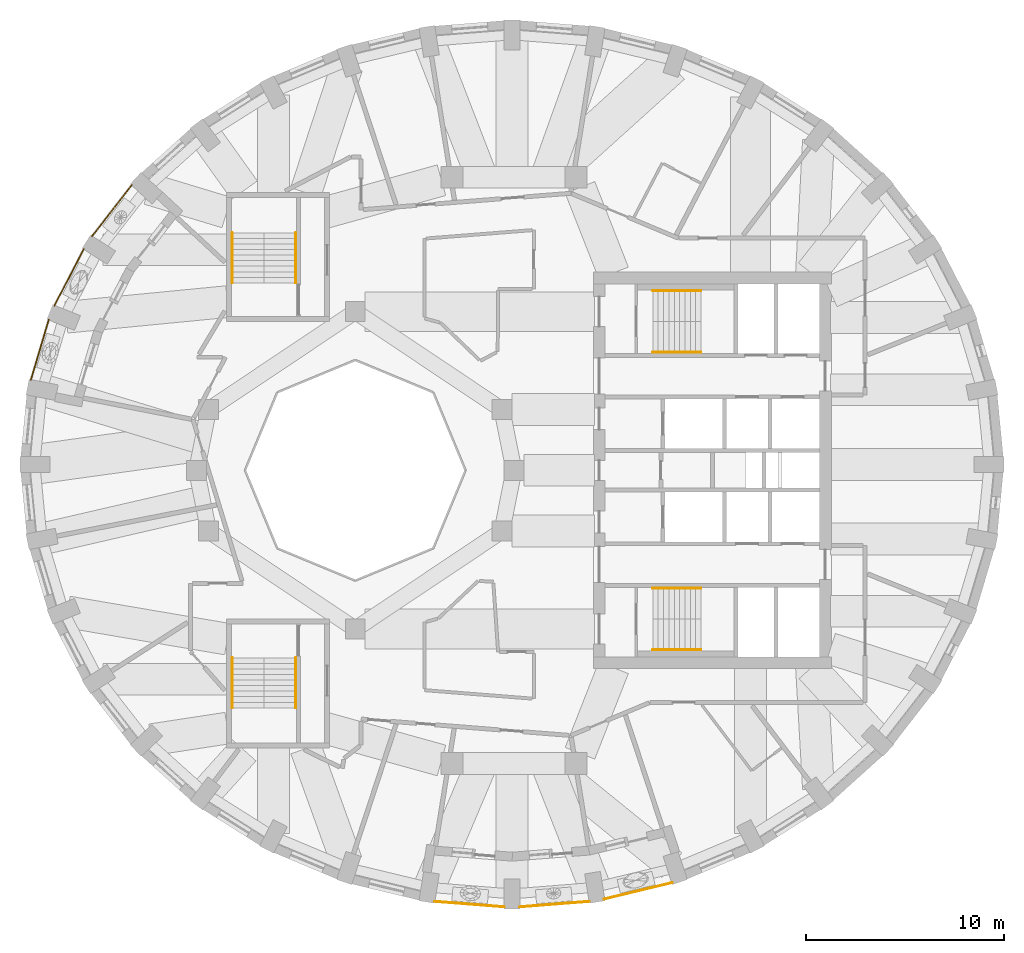
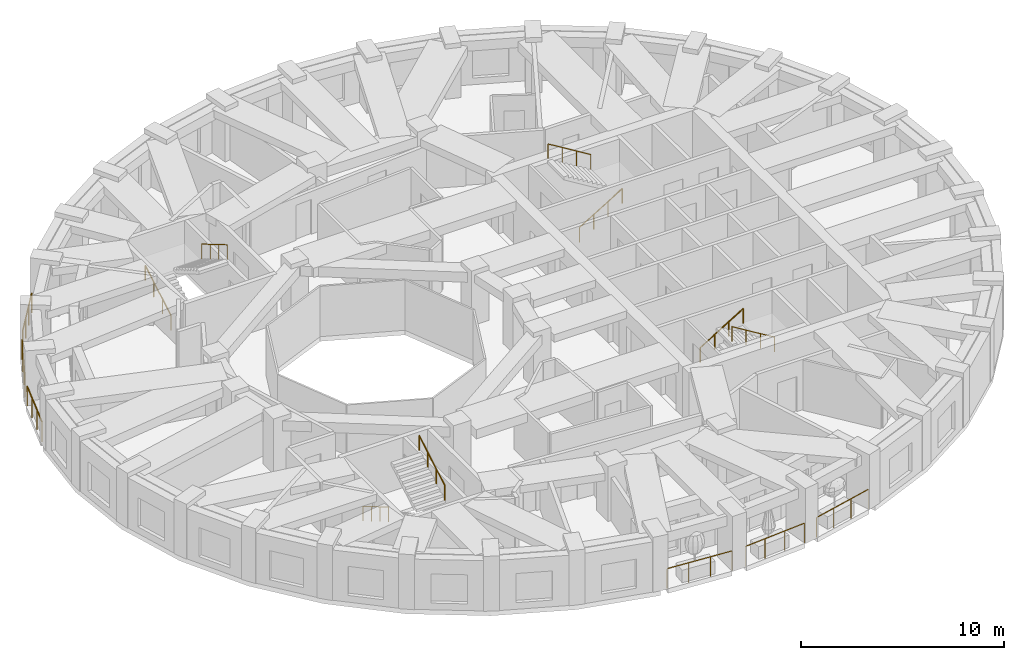
# One storey, part 10 of 12: 14 railings.
"""IFC4 building model written with IfcOpenShell, lengths in metres."""

from ifc_helpers import new_model, si_unit, direction, frame, origin, origin_2d, place, context, subcontext, project, spatial, circle, extrude, material, type_object, element, save


model = new_model("IFC4")

# Units and contexts
model_context = context("Model", 3, precision=1e-05, world=origin(), true_north=direction((0.0, 1.0)))
body_context = subcontext(model_context, "Body", "Model", "MODEL_VIEW")
ifc_project = project(units=[si_unit("LENGTHUNIT", "METRE"), si_unit("AREAUNIT", "SQUARE_METRE"), si_unit("VOLUMEUNIT", "CUBIC_METRE"), si_unit("PLANEANGLEUNIT", "RADIAN"), si_unit("MASSUNIT", "GRAM", prefix="KILO")], contexts=[model_context])

# Site, building, storey
site_placement = place(None, origin())
site = spatial("IfcSite", under=ifc_project, at=site_placement, CompositionType="ELEMENT")
building_placement = place(site_placement, origin())
building = spatial("IfcBuilding", under=site, at=building_placement, Name="Taillehof Tower", CompositionType="ELEMENT")
storey_placement = place(building_placement, frame((0.0, 0.0, 243.199951171875)))
storey = spatial("IfcBuildingStorey", under=building, at=storey_placement, Name="L69", CompositionType="ELEMENT", Elevation=243.199951171875)

# Railings
ifc_material_1 = material(Name="Stainless steel balustrade", Category="steel")
railing_type_1 = type_object("IfcRailingType", Name="Balcony guard 1200", PredefinedType="GUARDRAIL", material=ifc_material_1)
railing_1_placement = place(storey_placement, frame((-4.004638671875, -21.732177734375, 0.0)))
element("IfcRailing", 1, at=railing_1_placement, inside=storey, type_object=railing_type_1, Name="Balcony guard L69 bay 27", PredefinedType="GUARDRAIL", context=body_context, shape_type="SweptSolid", body=[
    extrude(circle(Radius=0.02392578125, at=origin_2d()), frame((0.0, 0.0, 1.17578125), z_axis=(0.99691310074, -0.078512862474, 0.0), x_axis=(0.078512862474, 0.99691310074, 0.0)), (0.0, 0.0, 1.0), 3.53564453125),
    extrude(circle(Radius=0.02099609375, at=origin_2d()), origin(), (0.0, 0.0, 1.0), 1.15185546875),
    extrude(circle(Radius=0.02099609375, at=origin_2d()), frame((1.1748046875, -0.092529296875, 0.0)), (0.0, 0.0, 1.0), 1.15185546875),
    extrude(circle(Radius=0.02099609375, at=origin_2d()), frame((2.349853515625, -0.18505859375, 0.0)), (0.0, 0.0, 1.0), 1.15185546875),
    extrude(circle(Radius=0.02099609375, at=origin_2d()), frame((3.524658203125, -0.277587890625, 0.0)), (0.0, 0.0, 1.0), 1.15185546875),
])
railing_2_placement = place(storey_placement, frame((0.280029296875, -22.009765625, 0.0)))
element("IfcRailing", 2, at=railing_2_placement, inside=storey, type_object=railing_type_1, Name="Balcony guard L69 bay 28", PredefinedType="GUARDRAIL", context=body_context, shape_type="SweptSolid", body=[
    extrude(circle(Radius=0.02392578125, at=origin_2d()), frame((0.0, 0.0, 1.17578125), z_axis=(0.99691310074, 0.078512862474, 0.0), x_axis=(-0.078512862474, 0.99691310074, 0.0)), (0.0, 0.0, 1.0), 3.53564453125),
    extrude(circle(Radius=0.02099609375, at=origin_2d()), origin(), (0.0, 0.0, 1.0), 1.15185546875),
    extrude(circle(Radius=0.02099609375, at=origin_2d()), frame((1.1748046875, 0.092529296875, 0.0)), (0.0, 0.0, 1.0), 1.15185546875),
    extrude(circle(Radius=0.02099609375, at=origin_2d()), frame((2.349853515625, 0.18505859375, 0.0)), (0.0, 0.0, 1.0), 1.15185546875),
    extrude(circle(Radius=0.02099609375, at=origin_2d()), frame((3.524658203125, 0.277587890625, 0.0)), (0.0, 0.0, 1.0), 1.15185546875),
])
railing_3_placement = place(storey_placement, frame((4.555419921875, -21.61279296875, 0.0)))
element("IfcRailing", 3, at=railing_3_placement, inside=storey, type_object=railing_type_1, Name="Balcony guard L69 bay 29", PredefinedType="GUARDRAIL", context=body_context, shape_type="SweptSolid", body=[
    extrude(circle(Radius=0.02392578125, at=origin_2d()), frame((0.0, 0.0, 1.17578125), z_axis=(0.972116636457, 0.234497857397, 0.0), x_axis=(-0.234497857397, 0.972116636457, 0.0)), (0.0, 0.0, 1.0), 3.5126953125),
    extrude(circle(Radius=0.02099609375, at=origin_2d()), origin(), (0.0, 0.0, 1.0), 1.15185546875),
    extrude(circle(Radius=0.02099609375, at=origin_2d()), frame((1.13818359375, 0.274658203125, 0.0)), (0.0, 0.0, 1.0), 1.15185546875),
    extrude(circle(Radius=0.02099609375, at=origin_2d()), frame((2.276611328125, 0.549072265625, 0.0)), (0.0, 0.0, 1.0), 1.15185546875),
    extrude(circle(Radius=0.02099609375, at=origin_2d()), frame((3.414794921875, 0.82373046875, 0.0)), (0.0, 0.0, 1.0), 1.15185546875),
])
railing_4_placement = place(storey_placement, frame((-19.262939453125, 14.384521484375, 0.0)))
element("IfcRailing", 4, at=railing_4_placement, inside=storey, type_object=railing_type_1, Name="Balcony guard L69 bay 15", PredefinedType="GUARDRAIL", context=body_context, shape_type="SweptSolid", body=[
    extrude(circle(Radius=0.02392578125, at=origin_2d()), frame((0.0, 0.0, 1.17578125), z_axis=(-0.613914823263, -0.789372275785, 0.0), x_axis=(0.789372275785, -0.613914823263, 0.0)), (0.0, 0.0, 1.0), 3.27685546875),
    extrude(circle(Radius=0.02099609375, at=origin_2d()), origin(), (0.0, 0.0, 1.0), 1.15185546875),
    extrude(circle(Radius=0.02099609375, at=origin_2d()), frame((-0.670654296875, -0.8623046875, 0.0)), (0.0, 0.0, 1.0), 1.15185546875),
    extrude(circle(Radius=0.02099609375, at=origin_2d()), frame((-1.341064453125, -1.724365234375, 0.0)), (0.0, 0.0, 1.0), 1.15185546875),
    extrude(circle(Radius=0.02099609375, at=origin_2d()), frame((-2.01171875, -2.586669921875, 0.0)), (0.0, 0.0, 1.0), 1.15185546875),
])
railing_5_placement = place(storey_placement, frame((-21.6845703125, 11.157470703125, 0.0)))
element("IfcRailing", 5, at=railing_5_placement, inside=storey, type_object=railing_type_1, Name="Balcony guard L69 bay 16", PredefinedType="GUARDRAIL", context=body_context, shape_type="SweptSolid", body=[
    extrude(circle(Radius=0.02392578125, at=origin_2d()), frame((0.0, 0.0, 1.17578125), z_axis=(-0.4599205147, -0.887960089282, 0.0), x_axis=(0.887960089282, -0.4599205147, 0.0)), (0.0, 0.0, 1.0), 3.21630859375),
    extrude(circle(Radius=0.02099609375, at=origin_2d()), origin(), (0.0, 0.0, 1.0), 1.15185546875),
    extrude(circle(Radius=0.02099609375, at=origin_2d()), frame((-0.4931640625, -0.951904296875, 0.0)), (0.0, 0.0, 1.0), 1.15185546875),
    extrude(circle(Radius=0.02099609375, at=origin_2d()), frame((-0.986083984375, -1.904052734375, 0.0)), (0.0, 0.0, 1.0), 1.15185546875),
    extrude(circle(Radius=0.02099609375, at=origin_2d()), frame((-1.479248046875, -2.85595703125, 0.0)), (0.0, 0.0, 1.0), 1.15185546875),
])
railing_6_placement = place(storey_placement, frame((-23.4482421875, 7.5966796875, 0.0)))
element("IfcRailing", 6, at=railing_6_placement, inside=storey, type_object=railing_type_1, Name="Balcony guard L69 bay 17", PredefinedType="GUARDRAIL", context=body_context, shape_type="SweptSolid", body=[
    extrude(circle(Radius=0.02392578125, at=origin_2d()), frame((0.0, 0.0, 1.17578125), z_axis=(-0.285199702908, -0.958468116038, 0.0), x_axis=(0.958468116038, -0.285199702908, 0.0)), (0.0, 0.0, 1.0), 3.170654296875),
    extrude(circle(Radius=0.02099609375, at=origin_2d()), origin(), (0.0, 0.0, 1.0), 1.15185546875),
    extrude(circle(Radius=0.02099609375, at=origin_2d()), frame((-0.301513671875, -1.012939453125, 0.0)), (0.0, 0.0, 1.0), 1.15185546875),
    extrude(circle(Radius=0.02099609375, at=origin_2d()), frame((-0.602783203125, -2.026123046875, 0.0)), (0.0, 0.0, 1.0), 1.15185546875),
    extrude(circle(Radius=0.02099609375, at=origin_2d()), frame((-0.904296875, -3.0390625, 0.0)), (0.0, 0.0, 1.0), 1.15185546875),
])
ifc_material_2 = material(Name="Stainless steel", Category="steel")
railing_type_2 = type_object("IfcRailingType", Name="Stair handrail 900", PredefinedType="HANDRAIL", material=ifc_material_2)
railing_7_placement = place(storey_placement, frame((7.0, 5.949951171875, 0.1650390625)))
element("IfcRailing", 7, at=railing_7_placement, inside=storey, type_object=railing_type_2, Name="Stair S1 handrail", PredefinedType="HANDRAIL", context=body_context, shape_type="SweptSolid", body=[
    extrude(circle(Radius=0.02392578125, at=origin_2d()), frame((0.0, 0.0, 0.8759765625), z_axis=(0.853258522278, 0.0, 0.521488153423), x_axis=(0.0, 1.0, 0.0)), (0.0, 0.0, 1.0), 2.847900390625),
    extrude(circle(Radius=0.02099609375, at=origin_2d()), origin(), (0.0, 0.0, 1.0), 0.851806640625),
    extrude(circle(Radius=0.02099609375, at=origin_2d()), frame((0.81005859375, 0.0, 0.4951171875)), (0.0, 0.0, 1.0), 0.851806640625),
    extrude(circle(Radius=0.02099609375, at=origin_2d()), frame((1.619873046875, 0.0, 0.989990234375)), (0.0, 0.0, 1.0), 0.851806640625),
    extrude(circle(Radius=0.02099609375, at=origin_2d()), frame((2.429931640625, 0.0, 1.485107421875)), (0.0, 0.0, 1.0), 0.851806640625),
])
railing_8_placement = place(storey_placement, frame((9.429931640625, 9.050048828125, 1.81494140625)))
element("IfcRailing", 8, at=railing_8_placement, inside=storey, type_object=railing_type_2, Name="Stair S1 handrail", PredefinedType="HANDRAIL", context=body_context, shape_type="SweptSolid", body=[
    extrude(circle(Radius=0.02392578125, at=origin_2d()), frame((0.0, 0.0, 0.8759765625), z_axis=(-0.853258522278, 0.0, 0.521488153423), x_axis=(0.0, -1.0, 0.0)), (0.0, 0.0, 1.0), 2.847900390625),
    extrude(circle(Radius=0.02099609375, at=origin_2d()), origin(), (0.0, 0.0, 1.0), 0.851806640625),
    extrude(circle(Radius=0.02099609375, at=origin_2d()), frame((-0.81005859375, 0.0, 0.4951171875)), (0.0, 0.0, 1.0), 0.851806640625),
    extrude(circle(Radius=0.02099609375, at=origin_2d()), frame((-1.619873046875, 0.0, 0.989990234375)), (0.0, 0.0, 1.0), 0.851806640625),
    extrude(circle(Radius=0.02099609375, at=origin_2d()), frame((-2.429931640625, 0.0, 1.485107421875)), (0.0, 0.0, 1.0), 0.851806640625),
])
railing_9_placement = place(storey_placement, frame((7.0, -5.949951171875, 0.1650390625)))
element("IfcRailing", 9, at=railing_9_placement, inside=storey, type_object=railing_type_2, Name="Stair S2 handrail", PredefinedType="HANDRAIL", context=body_context, shape_type="SweptSolid", body=[
    extrude(circle(Radius=0.02392578125, at=origin_2d()), frame((0.0, 0.0, 0.8759765625), z_axis=(0.853258522278, 0.0, 0.521488153423), x_axis=(0.0, 1.0, 0.0)), (0.0, 0.0, 1.0), 2.847900390625),
    extrude(circle(Radius=0.02099609375, at=origin_2d()), origin(), (0.0, 0.0, 1.0), 0.851806640625),
    extrude(circle(Radius=0.02099609375, at=origin_2d()), frame((0.81005859375, 0.0, 0.4951171875)), (0.0, 0.0, 1.0), 0.851806640625),
    extrude(circle(Radius=0.02099609375, at=origin_2d()), frame((1.619873046875, 0.0, 0.989990234375)), (0.0, 0.0, 1.0), 0.851806640625),
    extrude(circle(Radius=0.02099609375, at=origin_2d()), frame((2.429931640625, 0.0, 1.485107421875)), (0.0, 0.0, 1.0), 0.851806640625),
])
railing_10_placement = place(storey_placement, frame((9.429931640625, -9.050048828125, 1.81494140625)))
element("IfcRailing", 10, at=railing_10_placement, inside=storey, type_object=railing_type_2, Name="Stair S2 handrail", PredefinedType="HANDRAIL", context=body_context, shape_type="SweptSolid", body=[
    extrude(circle(Radius=0.02392578125, at=origin_2d()), frame((0.0, 0.0, 0.8759765625), z_axis=(-0.853258522278, 0.0, 0.521488153423), x_axis=(0.0, -1.0, 0.0)), (0.0, 0.0, 1.0), 2.847900390625),
    extrude(circle(Radius=0.02099609375, at=origin_2d()), origin(), (0.0, 0.0, 1.0), 0.851806640625),
    extrude(circle(Radius=0.02099609375, at=origin_2d()), frame((-0.81005859375, 0.0, 0.4951171875)), (0.0, 0.0, 1.0), 0.851806640625),
    extrude(circle(Radius=0.02099609375, at=origin_2d()), frame((-1.619873046875, 0.0, 0.989990234375)), (0.0, 0.0, 1.0), 0.851806640625),
    extrude(circle(Radius=0.02099609375, at=origin_2d()), frame((-2.429931640625, 0.0, 1.485107421875)), (0.0, 0.0, 1.0), 0.851806640625),
])
railing_11_placement = place(storey_placement, frame((-14.199951171875, 9.449951171875, 0.1650390625)))
element("IfcRailing", 11, at=railing_11_placement, inside=storey, type_object=railing_type_2, Name="Stair S3 handrail", PredefinedType="HANDRAIL", context=body_context, shape_type="SweptSolid", body=[
    extrude(circle(Radius=0.02392578125, at=origin_2d()), frame((0.0, 0.0, 0.8759765625), z_axis=(0.0, 0.86152411907, 0.507716645641), x_axis=(-1.0, 0.0, 0.0)), (0.0, 0.0, 1.0), 2.925048828125),
    extrude(circle(Radius=0.02099609375, at=origin_2d()), origin(), (0.0, 0.0, 1.0), 0.851806640625),
    extrude(circle(Radius=0.02099609375, at=origin_2d()), frame((0.0, 0.840087890625, 0.4951171875)), (0.0, 0.0, 1.0), 0.851806640625),
    extrude(circle(Radius=0.02099609375, at=origin_2d()), frame((0.0, 1.679931640625, 0.989990234375)), (0.0, 0.0, 1.0), 0.851806640625),
    extrude(circle(Radius=0.02099609375, at=origin_2d()), frame((0.0, 2.52001953125, 1.485107421875)), (0.0, 0.0, 1.0), 0.851806640625),
])
for number, where, name in (
    (12, (-11.0, 11.969970703125, 1.81494140625), "Stair S3 handrail"),
    (13, (-14.199951171875, -9.449951171875, 0.1650390625), "Stair S4 handrail"),
):
    element("IfcRailing", number, at=place(storey_placement, frame(where)), inside=storey, type_object=railing_type_2, Name=name, PredefinedType="HANDRAIL", context=body_context, shape_type="SweptSolid", body=[
        extrude(circle(Radius=0.02392578125, at=origin_2d()), frame((0.0, 0.0, 0.8759765625), z_axis=(0.0, -0.86152411907, 0.507716645641), x_axis=(1.0, 0.0, 0.0)), (0.0, 0.0, 1.0), 2.925048828125),
        extrude(circle(Radius=0.02099609375, at=origin_2d()), origin(), (0.0, 0.0, 1.0), 0.851806640625),
        extrude(circle(Radius=0.02099609375, at=origin_2d()), frame((0.0, -0.840087890625, 0.4951171875)), (0.0, 0.0, 1.0), 0.851806640625),
        extrude(circle(Radius=0.02099609375, at=origin_2d()), frame((0.0, -1.679931640625, 0.989990234375)), (0.0, 0.0, 1.0), 0.851806640625),
        extrude(circle(Radius=0.02099609375, at=origin_2d()), frame((0.0, -2.52001953125, 1.485107421875)), (0.0, 0.0, 1.0), 0.851806640625),
    ])
railing_12_placement = place(storey_placement, frame((-11.0, -11.969970703125, 1.81494140625)))
element("IfcRailing", 14, at=railing_12_placement, inside=storey, type_object=railing_type_2, Name="Stair S4 handrail", PredefinedType="HANDRAIL", context=body_context, shape_type="SweptSolid", body=[
    extrude(circle(Radius=0.02392578125, at=origin_2d()), frame((0.0, 0.0, 0.8759765625), z_axis=(0.0, 0.86152411907, 0.507716645641), x_axis=(-1.0, 0.0, 0.0)), (0.0, 0.0, 1.0), 2.925048828125),
    extrude(circle(Radius=0.02099609375, at=origin_2d()), origin(), (0.0, 0.0, 1.0), 0.851806640625),
    extrude(circle(Radius=0.02099609375, at=origin_2d()), frame((0.0, 0.840087890625, 0.4951171875)), (0.0, 0.0, 1.0), 0.851806640625),
    extrude(circle(Radius=0.02099609375, at=origin_2d()), frame((0.0, 1.679931640625, 0.989990234375)), (0.0, 0.0, 1.0), 0.851806640625),
    extrude(circle(Radius=0.02099609375, at=origin_2d()), frame((0.0, 2.52001953125, 1.485107421875)), (0.0, 0.0, 1.0), 0.851806640625),
])

save(model, "model.ifc")
